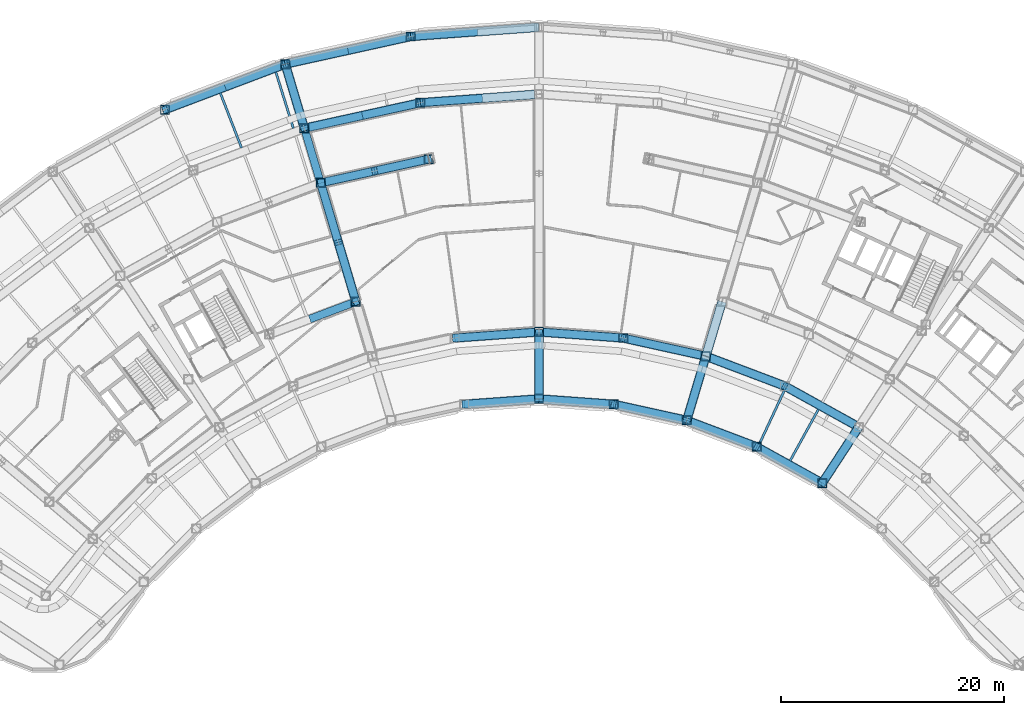
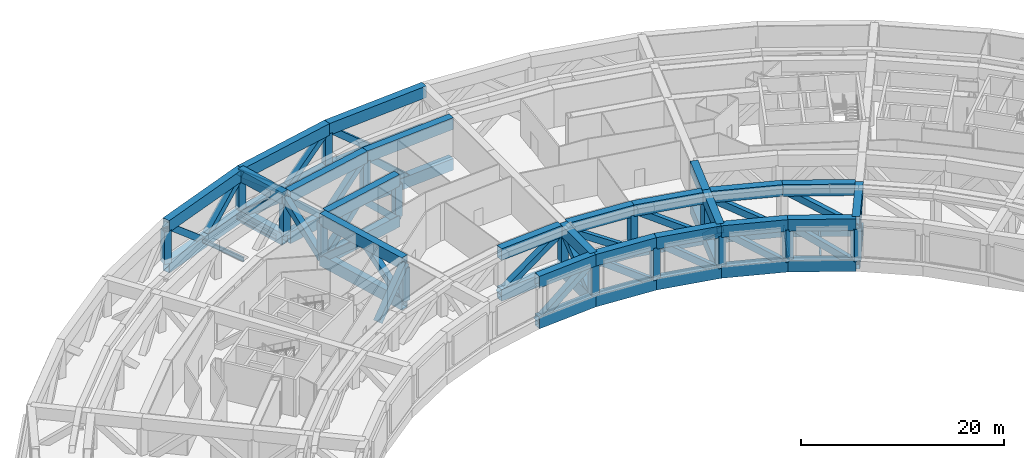
# One storey, part 4 of 30: 48 beams, 44 members.
"""IFC4 building model written with IfcOpenShell, lengths in metres."""

from ifc_helpers import new_model, si_unit, direction, frame, origin, origin_2d, place, context, subcontext, project, spatial, hollow_rectangle, i_section, extrude, material, material_profile, profile_set, type_object, element, save


model = new_model("IFC4")

# Units and contexts
model_context = context("Model", 3, precision=1e-05, world=origin(), true_north=direction((0.0, 1.0)))
body_context = subcontext(model_context, "Body", "Model", "MODEL_VIEW")
ifc_project = project(units=[si_unit("LENGTHUNIT", "METRE"), si_unit("AREAUNIT", "SQUARE_METRE"), si_unit("VOLUMEUNIT", "CUBIC_METRE"), si_unit("PLANEANGLEUNIT", "RADIAN"), si_unit("MASSUNIT", "GRAM", prefix="KILO")], contexts=[model_context])

# Site, building, storey
site_placement = place(None, origin())
site = spatial("IfcSite", under=ifc_project, at=site_placement, CompositionType="ELEMENT")
building_placement = place(site_placement, origin())
building = spatial("IfcBuilding", under=site, at=building_placement, Name="Tuul Gate Civic Tower", CompositionType="ELEMENT")
storey_placement = place(building_placement, frame((0.0, 0.0, 26.699951171875)))
storey = spatial("IfcBuildingStorey", under=building, at=storey_placement, Name="Plant and refuge floor 1", CompositionType="ELEMENT", Elevation=26.699951171875)

# Beams
ifc_material_1 = material(Name="Steel S355", Category="steel")
ifc_material_profile_1 = material_profile(ifc_material_1, i_section(OverallWidth=0.199951171875, OverallDepth=0.5, WebThickness=0.010009765625, FlangeThickness=0.01611328125, at=origin_2d()), Name="PG500x200x10x16")
ifc_profile_set_1 = profile_set([ifc_material_profile_1], Name="Steel S355")
beam_type_1 = type_object("IfcBeamType", Name="STR-FLOOR BEAM-PG500x200x10x16", PredefinedType="BEAM", material=ifc_profile_set_1)
beam_1_placement = place(storey_placement, frame((22.551025390625, -19.042236328125, -0.64990234375), z_axis=(0.482350167073, 0.875978490789, 0.0), x_axis=(-0.875978490789, 0.482350167073, 0.0)))
element("IfcBeam", 1, at=beam_1_placement, inside=storey, type_object=beam_type_1, Name="Floor beam", PredefinedType="BEAM", context=body_context, shape_type="SweptSolid", body=[
    extrude(i_section(OverallWidth=0.199951171875, OverallDepth=0.5, WebThickness=0.010009765625, FlangeThickness=0.01611328125, at=origin_2d()), origin(), (0.0, 0.0, 1.0), 5.2998046875),
])
beam_2_placement = place(storey_placement, frame((19.80224609375, -17.518310546875, -0.64990234375), z_axis=(0.42248795167, 0.906368540216, 0.0), x_axis=(-0.906368540216, 0.42248795167, 0.0)))
element("IfcBeam", 2, at=beam_2_placement, inside=storey, type_object=beam_type_1, Name="Floor beam", PredefinedType="BEAM", context=body_context, shape_type="SweptSolid", body=[
    extrude(i_section(OverallWidth=0.199951171875, OverallDepth=0.5, WebThickness=0.010009765625, FlangeThickness=0.01611328125, at=origin_2d()), origin(), (0.0, 0.0, 1.0), 5.31298828125),
])
beam_3_placement = place(storey_placement, frame((-22.06396484375, 10.829833984375, -0.64990234375), z_axis=(-0.29741870378, 0.954747146967, 0.0), x_axis=(-0.954747146967, -0.29741870378, 0.0)))
element("IfcBeam", 3, at=beam_3_placement, inside=storey, type_object=beam_type_1, Name="Floor beam", PredefinedType="BEAM", context=body_context, shape_type="SweptSolid", body=[
    extrude(i_section(OverallWidth=0.199951171875, OverallDepth=0.5, WebThickness=0.010009765625, FlangeThickness=0.01611328125, at=origin_2d()), origin(), (0.0, 0.0, 1.0), 5.309326171875),
])
beam_4_placement = place(storey_placement, frame((-26.717041015625, 9.070068359375, -0.64990234375), z_axis=(-0.360796386146, 0.932644609561, 0.0), x_axis=(-0.932644609561, -0.360796386146, 0.0)))
element("IfcBeam", 4, at=beam_4_placement, inside=storey, type_object=beam_type_1, Name="Floor beam", PredefinedType="BEAM", context=body_context, shape_type="SweptSolid", body=[
    extrude(i_section(OverallWidth=0.199951171875, OverallDepth=0.5, WebThickness=0.010009765625, FlangeThickness=0.01611328125, at=origin_2d()), origin(), (0.0, 0.0, 1.0), 5.30029296875),
])
ifc_material_2 = material(Name="Steel S460", Category="steel")
ifc_material_profile_2 = material_profile(ifc_material_2, hollow_rectangle(XDim=0.800048828125, YDim=1.39990234375, WallThickness=0.0400390625, at=origin_2d()), Name="BOX1400x800x40")
ifc_profile_set_2 = profile_set([ifc_material_profile_2], Name="Steel S460")
beam_type_2 = type_object("IfcBeamType", Name="STR-TRANSFER TRUSS CHORD-BOX1400x800x40", PredefinedType="BEAM", material=ifc_profile_set_2)
beam_5_placement = place(storey_placement, frame((-22.7919921875, 16.594970703125, -1.099853515625), z_axis=(0.285183912721, -0.95847281439, 0.0), x_axis=(0.95847281439, 0.285183912721, 0.0)))
element("IfcBeam", 5, at=beam_5_placement, inside=storey, type_object=beam_type_2, Name="Radial truss bottom chord", PredefinedType="BEAM", context=body_context, shape_type="SweptSolid", body=[
    extrude(hollow_rectangle(XDim=0.800048828125, YDim=1.39990234375, WallThickness=0.0400390625, at=origin_2d()), origin(), (0.0, 0.0, 1.0), 6.015625),
])
beam_6_placement = place(storey_placement, frame((-19.617919921875, 5.927978515625, -1.099853515625), z_axis=(0.285181622403, -0.958473495848, 0.0), x_axis=(0.958473495848, 0.285181622403, 0.0)))
element("IfcBeam", 6, at=beam_6_placement, inside=storey, type_object=beam_type_2, Name="Radial truss bottom chord", PredefinedType="BEAM", context=body_context, shape_type="SweptSolid", body=[
    extrude(hollow_rectangle(XDim=0.800048828125, YDim=1.39990234375, WallThickness=0.0400390625, at=origin_2d()), origin(), (0.0, 0.0, 1.0), 11.129150390625),
])
beam_7_placement = place(storey_placement, frame((-22.7919921875, 16.594970703125, 3.800048828125), z_axis=(0.285183912721, -0.95847281439, 0.0), x_axis=(0.95847281439, 0.285183912721, 0.0)))
element("IfcBeam", 7, at=beam_7_placement, inside=storey, type_object=beam_type_2, Name="Radial truss top chord", PredefinedType="BEAM", context=body_context, shape_type="SweptSolid", body=[
    extrude(hollow_rectangle(XDim=0.800048828125, YDim=1.39990234375, WallThickness=0.0400390625, at=origin_2d()), origin(), (0.0, 0.0, 1.0), 6.015625),
])
beam_8_placement = place(storey_placement, frame((-19.617919921875, 5.927978515625, 3.800048828125), z_axis=(0.285181622403, -0.958473495848, 0.0), x_axis=(0.958473495848, 0.285181622403, 0.0)))
element("IfcBeam", 8, at=beam_8_placement, inside=storey, type_object=beam_type_2, Name="Radial truss top chord", PredefinedType="BEAM", context=body_context, shape_type="SweptSolid", body=[
    extrude(hollow_rectangle(XDim=0.800048828125, YDim=1.39990234375, WallThickness=0.0400390625, at=origin_2d()), origin(), (0.0, 0.0, 1.0), 11.129150390625),
])
beam_9_placement = place(storey_placement, frame((16.444091796875, -4.739013671875, -1.099853515625), z_axis=(-0.285235841416, -0.958457362, 0.0), x_axis=(0.958457362, -0.285235841416, 0.0)))
element("IfcBeam", 9, at=beam_9_placement, inside=storey, type_object=beam_type_2, Name="Radial truss bottom chord", PredefinedType="BEAM", context=body_context, shape_type="SweptSolid", body=[
    extrude(hollow_rectangle(XDim=0.800048828125, YDim=1.39990234375, WallThickness=0.0400390625, at=origin_2d()), origin(), (0.0, 0.0, 1.0), 5.11328125),
])
beam_10_placement = place(storey_placement, frame((14.985595703125, -9.639892578125, -1.099853515625), z_axis=(-0.285172819855, -0.958476114891, 0.0), x_axis=(0.958476114891, -0.285172819855, 0.0)))
element("IfcBeam", 10, at=beam_10_placement, inside=storey, type_object=beam_type_2, Name="Radial truss bottom chord", PredefinedType="BEAM", context=body_context, shape_type="SweptSolid", body=[
    extrude(hollow_rectangle(XDim=0.800048828125, YDim=1.39990234375, WallThickness=0.0400390625, at=origin_2d()), origin(), (0.0, 0.0, 1.0), 6.015869140625),
])
beam_11_placement = place(storey_placement, frame((16.444091796875, -4.739013671875, 3.800048828125), z_axis=(-0.285235841416, -0.958457362, 0.0), x_axis=(0.958457362, -0.285235841416, 0.0)))
element("IfcBeam", 11, at=beam_11_placement, inside=storey, type_object=beam_type_2, Name="Radial truss top chord", PredefinedType="BEAM", context=body_context, shape_type="SweptSolid", body=[
    extrude(hollow_rectangle(XDim=0.800048828125, YDim=1.39990234375, WallThickness=0.0400390625, at=origin_2d()), origin(), (0.0, 0.0, 1.0), 5.11328125),
])
for number, where, z_axis, x_axis, name in (
    (12, (14.985595703125, -9.639892578125, 3.800048828125), (-0.285172819855, -0.958476114891, 0.0), (0.958476114891, -0.285172819855, 0.0), "Radial truss top chord"),
    (13, (0.0, -7.45703125, -1.099853515625), (0.0, -1.0, 0.0), (1.0, 0.0, 0.0), "Radial truss bottom chord"),
    (14, (0.0, -7.45703125, 3.800048828125), (0.0, -1.0, 0.0), (1.0, 0.0, 0.0), "Radial truss top chord"),
):
    element("IfcBeam", number, at=place(storey_placement, frame(where, z_axis=z_axis, x_axis=x_axis)), inside=storey, type_object=beam_type_2, Name=name, PredefinedType="BEAM", context=body_context, shape_type="SweptSolid", body=[
        extrude(hollow_rectangle(XDim=0.800048828125, YDim=1.39990234375, WallThickness=0.0400390625, at=origin_2d()), origin(), (0.0, 0.0, 1.0), 6.015869140625),
    ])
for number, where, z_axis, x_axis, name in (
    (15, (28.726806640625, -16.005859375, -1.099853515625), (-0.546704708955, -0.837325481045, 0.0), (0.837325481045, -0.546704708955, 0.0), "Radial truss bottom chord"),
    (16, (28.726806640625, -16.005859375, 3.800048828125), (-0.546704708955, -0.837325481045, 0.0), (0.837325481045, -0.546704708955, 0.0), "Radial truss top chord"),
):
    element("IfcBeam", number, at=place(storey_placement, frame(where, z_axis=z_axis, x_axis=x_axis)), inside=storey, type_object=beam_type_2, Name=name, PredefinedType="BEAM", context=body_context, shape_type="SweptSolid", body=[
        extrude(hollow_rectangle(XDim=0.800048828125, YDim=1.39990234375, WallThickness=0.0400390625, at=origin_2d()), origin(), (0.0, 0.0, 1.0), 6.015625),
    ])
for number, where, z_axis, x_axis, name in (
    (17, (-11.51611328125, 19.080078125, -1.099853515625), (-0.976564178288, -0.215226405638, 0.0), (0.215226405638, -0.976564178288, 0.0), "Belt truss bottom chord"),
    (18, (-11.51611328125, 19.080078125, 3.800048828125), (-0.976564178288, -0.215226405638, 0.0), (0.215226405638, -0.976564178288, 0.0), "Belt truss top chord"),
    (19, (-22.7919921875, 16.594970703125, -1.099853515625), (-0.935358493224, -0.353701129703, 0.0), (0.353701129703, -0.935358493224, 0.0), "Belt truss bottom chord"),
    (20, (-22.7919921875, 16.594970703125, 3.800048828125), (-0.935358493224, -0.353701129703, 0.0), (0.353701129703, -0.935358493224, 0.0), "Belt truss top chord"),
    (21, (0.0, 19.9140625, -1.099853515625), (-0.997388020129, -0.072229753588, 0.0), (0.072229753588, -0.997388020129, 0.0), "Belt truss bottom chord"),
    (22, (0.0, 19.9140625, 3.800048828125), (-0.997388020129, -0.072229753588, 0.0), (0.072229753588, -0.997388020129, 0.0), "Belt truss top chord"),
):
    element("IfcBeam", number, at=place(storey_placement, frame(where, z_axis=z_axis, x_axis=x_axis)), inside=storey, type_object=beam_type_2, Name=name, PredefinedType="BEAM", context=body_context, shape_type="SweptSolid", body=[
        extrude(hollow_rectangle(XDim=0.800048828125, YDim=1.39990234375, WallThickness=0.0400390625, at=origin_2d()), origin(), (0.0, 0.0, 1.0), 11.54638671875),
    ])
for number, where, z_axis, x_axis, name in (
    (23, (-10.64892578125, 13.126953125, -1.099853515625), (-0.976569533263, -0.215202106639, 0.0), (0.215202106639, -0.976569533263, 0.0), "Belt truss bottom chord"),
    (24, (-10.64892578125, 13.126953125, 3.800048828125), (-0.976569533263, -0.215202106639, 0.0), (0.215202106639, -0.976569533263, 0.0), "Belt truss top chord"),
):
    element("IfcBeam", number, at=place(storey_placement, frame(where, z_axis=z_axis, x_axis=x_axis)), inside=storey, type_object=beam_type_2, Name=name, PredefinedType="BEAM", context=body_context, shape_type="SweptSolid", body=[
        extrude(hollow_rectangle(XDim=0.800048828125, YDim=1.39990234375, WallThickness=0.0400390625, at=origin_2d()), origin(), (0.0, 0.0, 1.0), 10.277099609375),
    ])
for number, where, z_axis, x_axis, name in (
    (25, (-0.39990234375, 13.869140625, -1.099853515625), (-0.997388269769, -0.072226306339, 0.0), (0.072226306339, -0.997388269769, 0.0), "Belt truss bottom chord"),
    (26, (-0.39990234375, 13.869140625, 3.800048828125), (-0.997388269769, -0.072226306339, 0.0), (0.072226306339, -0.997388269769, 0.0), "Belt truss top chord"),
):
    element("IfcBeam", number, at=place(storey_placement, frame(where, z_axis=z_axis, x_axis=x_axis)), inside=storey, type_object=beam_type_2, Name=name, PredefinedType="BEAM", context=body_context, shape_type="SweptSolid", body=[
        extrude(hollow_rectangle(XDim=0.800048828125, YDim=1.39990234375, WallThickness=0.0400390625, at=origin_2d()), origin(), (0.0, 0.0, 1.0), 10.27587890625),
    ])
for number, where, z_axis, x_axis, name in (
    (27, (-19.226318359375, 6.014404296875, -1.099853515625), (0.9765692044, 0.215203598988, 0.0), (-0.215203598988, 0.9765692044, 0.0), "Belt truss bottom chord"),
    (28, (-19.226318359375, 6.014404296875, 3.800048828125), (0.9765692044, 0.215203598988, 0.0), (-0.215203598988, 0.9765692044, 0.0), "Belt truss top chord"),
):
    element("IfcBeam", number, at=place(storey_placement, frame(where, z_axis=z_axis, x_axis=x_axis)), inside=storey, type_object=beam_type_2, Name=name, PredefinedType="BEAM", context=body_context, shape_type="SweptSolid", body=[
        extrude(hollow_rectangle(XDim=0.800048828125, YDim=1.39990234375, WallThickness=0.0400390625, at=origin_2d()), origin(), (0.0, 0.0, 1.0), 9.537353515625),
    ])
for number, where, z_axis, x_axis, name in (
    (29, (22.0869140625, -12.324951171875, -1.099853515625), (0.874598911191, -0.484847135232, 0.0), (0.484847135232, 0.874598911191, 0.0), "Belt truss bottom chord"),
    (30, (22.0869140625, -12.324951171875, 3.800048828125), (0.874598911191, -0.484847135232, 0.0), (0.484847135232, 0.874598911191, 0.0), "Belt truss top chord"),
):
    element("IfcBeam", number, at=place(storey_placement, frame(where, z_axis=z_axis, x_axis=x_axis)), inside=storey, type_object=beam_type_2, Name=name, PredefinedType="BEAM", context=body_context, shape_type="SweptSolid", body=[
        extrude(hollow_rectangle(XDim=0.800048828125, YDim=1.39990234375, WallThickness=0.0400390625, at=origin_2d()), origin(), (0.0, 0.0, 1.0), 7.191162109375),
    ])
for number, where, z_axis, x_axis, name in (
    (31, (7.572021484375, -8.006103515625, -1.099853515625), (0.976565031632, -0.215222533655, 0.0), (0.215222533655, 0.976565031632, 0.0), "Belt truss bottom chord"),
    (32, (7.572021484375, -8.006103515625, 3.800048828125), (0.976565031632, -0.215222533655, 0.0), (0.215222533655, 0.976565031632, 0.0), "Belt truss top chord"),
):
    element("IfcBeam", number, at=place(storey_placement, frame(where, z_axis=z_axis, x_axis=x_axis)), inside=storey, type_object=beam_type_2, Name=name, PredefinedType="BEAM", context=body_context, shape_type="SweptSolid", body=[
        extrude(hollow_rectangle(XDim=0.800048828125, YDim=1.39990234375, WallThickness=0.0400390625, at=origin_2d()), origin(), (0.0, 0.0, 1.0), 7.190673828125),
    ])
for number, where, z_axis, x_axis, name in (
    (33, (-7.572021484375, -8.006103515625, -1.099853515625), (0.997381780234, 0.072315865878, 0.0), (-0.072315865878, 0.997381780234, 0.0), "Belt truss bottom chord"),
    (34, (-7.572021484375, -8.006103515625, 3.800048828125), (0.997381780234, 0.072315865878, 0.0), (-0.072315865878, 0.997381780234, 0.0), "Belt truss top chord"),
    (35, (0.39990234375, -7.486083984375, -1.099853515625), (0.997381780234, -0.072315865878, 0.0), (0.072315865878, 0.997381780234, 0.0), "Belt truss bottom chord"),
    (36, (0.39990234375, -7.486083984375, 3.800048828125), (0.997381780234, -0.072315865878, 0.0), (0.072315865878, 0.997381780234, 0.0), "Belt truss top chord"),
):
    element("IfcBeam", number, at=place(storey_placement, frame(where, z_axis=z_axis, x_axis=x_axis)), inside=storey, type_object=beam_type_2, Name=name, PredefinedType="BEAM", context=body_context, shape_type="SweptSolid", body=[
        extrude(hollow_rectangle(XDim=0.800048828125, YDim=1.39990234375, WallThickness=0.0400390625, at=origin_2d()), origin(), (0.0, 0.0, 1.0), 7.19091796875),
    ])
for number, where, z_axis, x_axis, name in (
    (37, (14.986083984375, -9.639892578125, -1.099853515625), (0.935362186019, -0.353691363996, 0.0), (0.353691363996, 0.935362186019, 0.0), "Belt truss bottom chord"),
    (38, (14.986083984375, -9.639892578125, 3.800048828125), (0.935362186019, -0.353691363996, 0.0), (0.353691363996, 0.935362186019, 0.0), "Belt truss top chord"),
):
    element("IfcBeam", number, at=place(storey_placement, frame(where, z_axis=z_axis, x_axis=x_axis)), inside=storey, type_object=beam_type_2, Name=name, PredefinedType="BEAM", context=body_context, shape_type="SweptSolid", body=[
        extrude(hollow_rectangle(XDim=0.800048828125, YDim=1.39990234375, WallThickness=0.0400390625, at=origin_2d()), origin(), (0.0, 0.0, 1.0), 7.591552734375),
    ])
for number, where, z_axis, x_axis, name in (
    (39, (19.55810546875, -17.782958984375, -1.099853515625), (0.874573189435, -0.484893530914, 0.0), (0.484893530914, 0.874573189435, 0.0), "Belt truss bottom chord"),
    (40, (19.55810546875, -17.782958984375, 3.800048828125), (0.874573189435, -0.484893530914, 0.0), (0.484893530914, 0.874573189435, 0.0), "Belt truss top chord"),
):
    element("IfcBeam", number, at=place(storey_placement, frame(where, z_axis=z_axis, x_axis=x_axis)), inside=storey, type_object=beam_type_2, Name=name, PredefinedType="BEAM", context=body_context, shape_type="SweptSolid", body=[
        extrude(hollow_rectangle(XDim=0.800048828125, YDim=1.39990234375, WallThickness=0.0400390625, at=origin_2d()), origin(), (0.0, 0.0, 1.0), 6.72314453125),
    ])
for number, where, z_axis, x_axis, name in (
    (41, (-6.705078125, -13.958984375, -1.099853515625), (0.997382557055, 0.072305151147, 0.0), (-0.072305151147, 0.997382557055, 0.0), "Belt truss bottom chord"),
    (42, (-6.705078125, -13.958984375, 3.800048828125), (0.997382557055, 0.072305151147, 0.0), (-0.072305151147, 0.997382557055, 0.0), "Belt truss top chord"),
    (43, (0.0, -13.472900390625, -1.099853515625), (0.997382557055, -0.072305151147, 0.0), (0.072305151147, 0.997382557055, 0.0), "Belt truss bottom chord"),
    (44, (0.0, -13.472900390625, 3.800048828125), (0.997382557055, -0.072305151147, 0.0), (0.072305151147, 0.997382557055, 0.0), "Belt truss top chord"),
):
    element("IfcBeam", number, at=place(storey_placement, frame(where, z_axis=z_axis, x_axis=x_axis)), inside=storey, type_object=beam_type_2, Name=name, PredefinedType="BEAM", context=body_context, shape_type="SweptSolid", body=[
        extrude(hollow_rectangle(XDim=0.800048828125, YDim=1.39990234375, WallThickness=0.0400390625, at=origin_2d()), origin(), (0.0, 0.0, 1.0), 6.72265625),
    ])
for number, where, z_axis, x_axis, name in (
    (45, (6.705078125, -13.958984375, -1.099853515625), (0.976559036133, -0.215249736228, 0.0), (0.215249736228, 0.976559036133, 0.0), "Belt truss bottom chord"),
    (46, (6.705078125, -13.958984375, 3.800048828125), (0.976559036133, -0.215249736228, 0.0), (0.215249736228, 0.976559036133, 0.0), "Belt truss top chord"),
    (47, (13.27001953125, -15.406005859375, -1.099853515625), (0.935400568997, -0.353589840804, 0.0), (0.353589840804, 0.935400568997, 0.0), "Belt truss bottom chord"),
    (48, (13.27001953125, -15.406005859375, 3.800048828125), (0.935400568997, -0.353589840804, 0.0), (0.353589840804, 0.935400568997, 0.0), "Belt truss top chord"),
):
    element("IfcBeam", number, at=place(storey_placement, frame(where, z_axis=z_axis, x_axis=x_axis)), inside=storey, type_object=beam_type_2, Name=name, PredefinedType="BEAM", context=body_context, shape_type="SweptSolid", body=[
        extrude(hollow_rectangle(XDim=0.800048828125, YDim=1.39990234375, WallThickness=0.0400390625, at=origin_2d()), origin(), (0.0, 0.0, 1.0), 6.722412109375),
    ])

# Members
ifc_material_3 = material(Name="Steel S355", Category="steel")
ifc_material_profile_3 = material_profile(ifc_material_3, hollow_rectangle(XDim=0.699951171875, YDim=0.699951171875, WallThickness=0.031982421875, at=origin_2d()), Name="BOX700x700x32")
ifc_profile_set_3 = profile_set([ifc_material_profile_3], Name="Steel S355")
member_type_1 = type_object("IfcMemberType", Name="STR-TRANSFER TRUSS DIAGONAL-BOX700x700x32", PredefinedType="BRACE", material=ifc_profile_set_3)
member_1_placement = place(storey_placement, frame((-22.793212890625, 16.5986328125, -1.10302734375), z_axis=(0.221146201874, -0.743135460525, 0.631541007938), x_axis=(0.958460916824, 0.285223896126, 0.0)))
element("IfcMember", 49, at=member_1_placement, inside=storey, type_object=member_type_1, Name="Radial truss web", PredefinedType="BRACE", context=body_context, shape_type="SweptSolid", body=[
    extrude(hollow_rectangle(XDim=0.699951171875, YDim=0.699951171875, WallThickness=0.031982421875, at=origin_2d()), origin(), (0.0, 0.0, 1.0), 7.768798828125),
])
member_2_placement = place(storey_placement, frame((-19.616943359375, 5.924560546875, -1.103515625), z_axis=(-0.205922993739, 0.692021053683, 0.691883358602), x_axis=(-0.958465578094, -0.285208232013, 0.0)))
element("IfcMember", 50, at=member_2_placement, inside=storey, type_object=member_type_1, Name="Radial truss web", PredefinedType="BRACE", context=body_context, shape_type="SweptSolid", body=[
    extrude(hollow_rectangle(XDim=0.699951171875, YDim=0.699951171875, WallThickness=0.031982421875, at=origin_2d()), origin(), (0.0, 0.0, 1.0), 7.09228515625),
])
for number, where, z_axis, x_axis, name in (
    (51, (-19.619140625, 5.931640625, -1.103271484375), (0.214031254995, -0.719334419153, 0.660869590242), (0.958472611044, 0.285184596146, 0.0), "Radial truss web"),
    (52, (-16.44287109375, -4.74267578125, -1.103271484375), (-0.214031254995, 0.719334419153, 0.660869590242), (-0.958472611044, -0.285184596146, 0.0), "Radial truss web"),
):
    element("IfcMember", number, at=place(storey_placement, frame(where, z_axis=z_axis, x_axis=x_axis)), inside=storey, type_object=member_type_1, Name=name, PredefinedType="BRACE", context=body_context, shape_type="SweptSolid", body=[
        extrude(hollow_rectangle(XDim=0.699951171875, YDim=0.699951171875, WallThickness=0.031982421875, at=origin_2d()), origin(), (0.0, 0.0, 1.0), 7.424560546875),
    ])
for number, where, z_axis, x_axis, name in (
    (53, (14.98681640625, -9.63623046875, -1.10302734375), (-0.221141037313, -0.743149531105, 0.63152625918), (0.958464214021, -0.285212816055, 0.0), "Radial truss web"),
    (54, (0.0, -13.476806640625, -1.10302734375), (0.0, 0.775356941725, 0.631523248122), (-1.0, 0.0, 0.0), "Radial truss web"),
    (55, (25.435791015625, -21.046142578125, -1.10302734375), (0.423906795693, 0.649200577169, 0.631539103436), (-0.837306478445, 0.546733811973, 0.0), "Radial truss web"),
):
    element("IfcMember", number, at=place(storey_placement, frame(where, z_axis=z_axis, x_axis=x_axis)), inside=storey, type_object=member_type_1, Name=name, PredefinedType="BRACE", context=body_context, shape_type="SweptSolid", body=[
        extrude(hollow_rectangle(XDim=0.699951171875, YDim=0.699951171875, WallThickness=0.031982421875, at=origin_2d()), origin(), (0.0, 0.0, 1.0), 7.768798828125),
    ])
member_3_placement = place(storey_placement, frame((-17.15771484375, 17.836669921875, -1.103271484375), z_axis=(0.744550713764, 0.164081925157, 0.647086822977), x_axis=(-0.21521302871, 0.976567126353, 0.0)))
element("IfcMember", 56, at=member_3_placement, inside=storey, type_object=member_type_1, Name="Belt truss web", PredefinedType="BRACE", context=body_context, shape_type="SweptSolid", body=[
    extrude(hollow_rectangle(XDim=0.699951171875, YDim=0.699951171875, WallThickness=0.031982421875, at=origin_2d()), origin(), (0.0, 0.0, 1.0), 7.58251953125),
])
for number, where, z_axis, x_axis, name in (
    (57, (-17.150390625, 17.83837890625, -1.103271484375), (-0.744536364315, -0.164085858779, 0.647102335927), (0.215221904914, -0.976565170199, 0.0), "Belt truss web"),
    (58, (-28.195556640625, 14.5517578125, -1.103271484375), (0.713130488645, 0.269661723063, 0.647091540108), (-0.353695392382, 0.935360662743, 0.0), "Belt truss web"),
    (59, (-28.1884765625, 14.554443359375, -1.103271484375), (-0.713114664353, -0.269667915021, 0.647106398587), (0.353709364718, -0.935355379153, 0.0), "Belt truss web"),
    (60, (-5.754150390625, 19.497314453125, -1.103271484375), (-0.760411546979, -0.055060287319, 0.647103271496), (0.072219460914, -0.99738876546, 0.0), "Belt truss web"),
):
    element("IfcMember", number, at=place(storey_placement, frame(where, z_axis=z_axis, x_axis=x_axis)), inside=storey, type_object=member_type_1, Name=name, PredefinedType="BRACE", context=body_context, shape_type="SweptSolid", body=[
        extrude(hollow_rectangle(XDim=0.699951171875, YDim=0.699951171875, WallThickness=0.031982421875, at=origin_2d()), origin(), (0.0, 0.0, 1.0), 7.582275390625),
    ])
for number, where, z_axis, x_axis, name in (
    (61, (-15.86669921875, 11.977294921875, -1.103271484375), (0.719495152581, 0.158527127979, 0.676162609959), (-0.215170149679, 0.976576574922, 0.0), "Belt truss web"),
    (62, (-15.859375, 11.978759765625, -1.103271484375), (-0.719491314869, -0.158559925511, 0.676159003378), (0.215213699156, -0.976566978602, 0.0), "Belt truss web"),
):
    element("IfcMember", number, at=place(storey_placement, frame(where, z_axis=z_axis, x_axis=x_axis)), inside=storey, type_object=member_type_1, Name=name, PredefinedType="BRACE", context=body_context, shape_type="SweptSolid", body=[
        extrude(hollow_rectangle(XDim=0.699951171875, YDim=0.699951171875, WallThickness=0.031982421875, at=origin_2d()), origin(), (0.0, 0.0, 1.0), 7.2568359375),
    ])
member_4_placement = place(storey_placement, frame((-5.32080078125, 13.5126953125, -1.103271484375), z_axis=(-0.73478648259, -0.05319370983, 0.676209475117), x_axis=(0.072204466985, -0.997389851035, 0.0)))
element("IfcMember", 63, at=member_4_placement, inside=storey, type_object=member_type_1, Name="Belt truss web", PredefinedType="BRACE", context=body_context, shape_type="SweptSolid", body=[
    extrude(hollow_rectangle(XDim=0.699951171875, YDim=0.699951171875, WallThickness=0.031982421875, at=origin_2d()), origin(), (0.0, 0.0, 1.0), 7.25634765625),
])
for number, where, z_axis, x_axis, name in (
    (64, (-19.62158203125, 5.92724609375, -1.103515625), (0.695374807166, 0.153250742441, 0.702116861712), (-0.21522114615, 0.97656533742, 0.0), "Belt truss web"),
    (65, (-9.908935546875, 8.06787109375, -1.103515625), (-0.695356765264, -0.15325446517, 0.70213391736), (0.215231457698, -0.976563064844, 0.0), "Belt truss web"),
):
    element("IfcMember", number, at=place(storey_placement, frame(where, z_axis=z_axis, x_axis=x_axis)), inside=storey, type_object=member_type_1, Name=name, PredefinedType="BRACE", context=body_context, shape_type="SweptSolid", body=[
        extrude(hollow_rectangle(XDim=0.699951171875, YDim=0.699951171875, WallThickness=0.031982421875, at=origin_2d()), origin(), (0.0, 0.0, 1.0), 6.98876953125),
    ])
member_5_placement = place(storey_placement, frame((-20.343017578125, -6.213134765625, -1.103759765625), z_axis=(0.605805963148, 0.229048703954, 0.76192901653), x_axis=(-0.353655487967, 0.935375751146, 0.0)))
element("IfcMember", 66, at=member_5_placement, inside=storey, type_object=member_type_1, Name="Belt truss web", PredefinedType="BRACE", context=body_context, shape_type="SweptSolid", body=[
    extrude(hollow_rectangle(XDim=0.699951171875, YDim=0.699951171875, WallThickness=0.031982421875, at=origin_2d()), origin(), (0.0, 0.0, 1.0), 6.441162109375),
])
member_6_placement = place(storey_placement, frame((28.730712890625, -16.008056640625, -1.102783203125), z_axis=(-0.734840178115, 0.407362922303, 0.54227793811), x_axis=(-0.484840903195, -0.874602365986, 0.0)))
element("IfcMember", 67, at=member_6_placement, inside=storey, type_object=member_type_1, Name="Belt truss web", PredefinedType="BRACE", context=body_context, shape_type="SweptSolid", body=[
    extrude(hollow_rectangle(XDim=0.699951171875, YDim=0.699951171875, WallThickness=0.031982421875, at=origin_2d()), origin(), (0.0, 0.0, 1.0), 9.046142578125),
])
for number, where, z_axis, x_axis, name in (
    (68, (14.989990234375, -9.640869140625, -1.102783203125), (-0.820498882854, 0.180827687087, 0.54229413681), (-0.215222705133, -0.976564993841, 0.0), "Belt truss web"),
    (69, (-7.576171875, -8.00634765625, -1.102783203125), (0.837988926393, 0.060752780228, 0.542294808142), (-0.072308531172, 0.997382312015, 0.0), "Belt truss web"),
    (70, (7.576171875, -8.00634765625, -1.102783203125), (-0.837988926393, 0.060752780228, 0.542294808142), (-0.072308531172, -0.997382312015, 0.0), "Belt truss web"),
):
    element("IfcMember", number, at=place(storey_placement, frame(where, z_axis=z_axis, x_axis=x_axis)), inside=storey, type_object=member_type_1, Name=name, PredefinedType="BRACE", context=body_context, shape_type="SweptSolid", body=[
        extrude(hollow_rectangle(XDim=0.699951171875, YDim=0.699951171875, WallThickness=0.031982421875, at=origin_2d()), origin(), (0.0, 0.0, 1.0), 9.0458984375),
    ])
member_7_placement = place(storey_placement, frame((22.0908203125, -12.326416015625, -1.102783203125), z_axis=(-0.785870791002, 0.297161019642, 0.542312113322), x_axis=(-0.353688546185, -0.935363251522, 0.0)))
element("IfcMember", 71, at=member_7_placement, inside=storey, type_object=member_type_1, Name="Belt truss web", PredefinedType="BRACE", context=body_context, shape_type="SweptSolid", body=[
    extrude(hollow_rectangle(XDim=0.699951171875, YDim=0.699951171875, WallThickness=0.031982421875, at=origin_2d()), origin(), (0.0, 0.0, 1.0), 9.045654296875),
])
member_8_placement = place(storey_placement, frame((25.441650390625, -21.044921875, -1.102783203125), z_axis=(-0.706798717154, 0.391855024037, 0.588969620241), x_axis=(-0.48487596973, -0.87458292573, 0.0)))
element("IfcMember", 72, at=member_8_placement, inside=storey, type_object=member_type_1, Name="Belt truss web", PredefinedType="BRACE", context=body_context, shape_type="SweptSolid", body=[
    extrude(hollow_rectangle(XDim=0.699951171875, YDim=0.699951171875, WallThickness=0.031982421875, at=origin_2d()), origin(), (0.0, 0.0, 1.0), 8.329345703125),
])
for number, where, z_axis, x_axis, name in (
    (73, (-6.708984375, -13.959228515625, -1.102783203125), (0.806011625455, 0.058420233827, 0.589009622936), (-0.072290994704, 0.997383583224, 0.0), "Belt truss web"),
    (74, (6.708984375, -13.959228515625, -1.102783203125), (-0.806011625455, 0.058420233827, 0.589009622936), (-0.072290994704, -0.997383583224, 0.0), "Belt truss web"),
):
    element("IfcMember", number, at=place(storey_placement, frame(where, z_axis=z_axis, x_axis=x_axis)), inside=storey, type_object=member_type_1, Name=name, PredefinedType="BRACE", context=body_context, shape_type="SweptSolid", body=[
        extrude(hollow_rectangle(XDim=0.699951171875, YDim=0.699951171875, WallThickness=0.031982421875, at=origin_2d()), origin(), (0.0, 0.0, 1.0), 8.328857421875),
    ])
for number, where, z_axis, x_axis, name in (
    (75, (13.27392578125, -15.406982421875, -1.102783203125), (-0.789173978261, 0.173945412191, 0.589022432181), (-0.215247891438, -0.976559442754, 0.0), "Belt truss web"),
    (76, (19.561767578125, -17.784423828125, -1.102783203125), (-0.755907733399, 0.285748190374, 0.589025865549), (-0.353598782267, -0.935397188995, 0.0), "Belt truss web"),
):
    element("IfcMember", number, at=place(storey_placement, frame(where, z_axis=z_axis, x_axis=x_axis)), inside=storey, type_object=member_type_1, Name=name, PredefinedType="BRACE", context=body_context, shape_type="SweptSolid", body=[
        extrude(hollow_rectangle(XDim=0.699951171875, YDim=0.699951171875, WallThickness=0.031982421875, at=origin_2d()), origin(), (0.0, 0.0, 1.0), 8.32861328125),
    ])
ifc_material_4 = material(Name="Steel S355", Category="steel")
ifc_material_profile_4 = material_profile(ifc_material_4, hollow_rectangle(XDim=0.800048828125, YDim=0.800048828125, WallThickness=0.034912109375, at=origin_2d()), Name="BOX800x800x35")
ifc_profile_set_4 = profile_set([ifc_material_profile_4], Name="Steel S355")
member_type_2 = type_object("IfcMemberType", Name="STR-TRUSS POST-BOX800x800x35", PredefinedType="POST", material=ifc_profile_set_4)
for number, where, z_axis, x_axis, name in (
    (77, (-22.7919921875, 16.594970703125, -0.594970703125), (0.0, 0.0, 1.0), (1.0, 0.0, 0.0), "Radial truss post"),
    (78, (-21.076416015625, 10.8291015625, -0.594970703125), (0.0, 0.0, 1.0), (1.0, 0.0, 0.0), "Radial truss post"),
    (79, (-19.617919921875, 5.927978515625, -0.594970703125), (0.0, 0.0, 1.0), (1.0, 0.0, 0.0), "Radial truss post"),
    (80, (-16.444091796875, -4.739013671875, -0.594970703125), (0.0, 0.0, 1.0), (1.0, 0.0, 0.0), "Radial truss post"),
    (81, (14.985595703125, -9.639892578125, -0.594970703125), (0.0, 0.0, 1.0), (1.0, 0.0, 0.0), "Radial truss post"),
    (82, (13.27001953125, -15.406005859375, -0.594970703125), (0.0, 0.0, 1.0), (1.0, 0.0, 0.0), "Radial truss post"),
    (83, (0.0, -7.45703125, -0.594970703125), (0.0, 0.0, 1.0), (1.0, 0.0, 0.0), "Radial truss post"),
    (84, (0.0, -13.472900390625, -0.594970703125), (0.0, 0.0, 1.0), (1.0, 0.0, 0.0), "Radial truss post"),
    (85, (25.43798828125, -21.04296875, -0.594970703125), (0.0, 0.0, 1.0), (1.0, 0.0, 0.0), "Radial truss post"),
    (86, (-33.592041015625, 12.510986328125, -0.594970703125), (0.0, 0.0, 1.0), (1.0, 0.0, 0.0), "Belt truss post"),
    (87, (-11.51611328125, 19.080078125, -0.594970703125), (0.0, 0.0, 1.0), (1.0, 0.0, 0.0), "Belt truss post"),
    (88, (-10.64892578125, 13.126953125, -0.594970703125), (0.0, 0.0, 1.0), (1.0, 0.0, 0.0), "Belt truss post"),
    (89, (-9.912353515625, 8.06689453125, -0.594970703125), (0.0, 0.0, 1.0), (1.0, 0.0, 0.0), "Belt truss post"),
    (90, (7.572021484375, -8.006103515625, -0.594970703125), (0.0, 0.0, 1.0), (1.0, 0.0, 0.0), "Belt truss post"),
    (91, (19.55810546875, -17.782958984375, -0.594970703125), (0.0, 0.0, 1.0), (1.0, 0.0, 0.0), "Belt truss post"),
    (92, (6.705078125, -13.958984375, -0.594970703125), (0.0, 0.0, 1.0), (1.0, 0.0, 0.0), "Belt truss post"),
):
    element("IfcMember", number, at=place(storey_placement, frame(where, z_axis=z_axis, x_axis=x_axis)), inside=storey, type_object=member_type_2, Name=name, PredefinedType="POST", context=body_context, shape_type="SweptSolid", body=[
        extrude(hollow_rectangle(XDim=0.800048828125, YDim=0.800048828125, WallThickness=0.034912109375, at=origin_2d()), origin(), (0.0, 0.0, 1.0), 3.89013671875),
    ])

save(model, "model.ifc")
